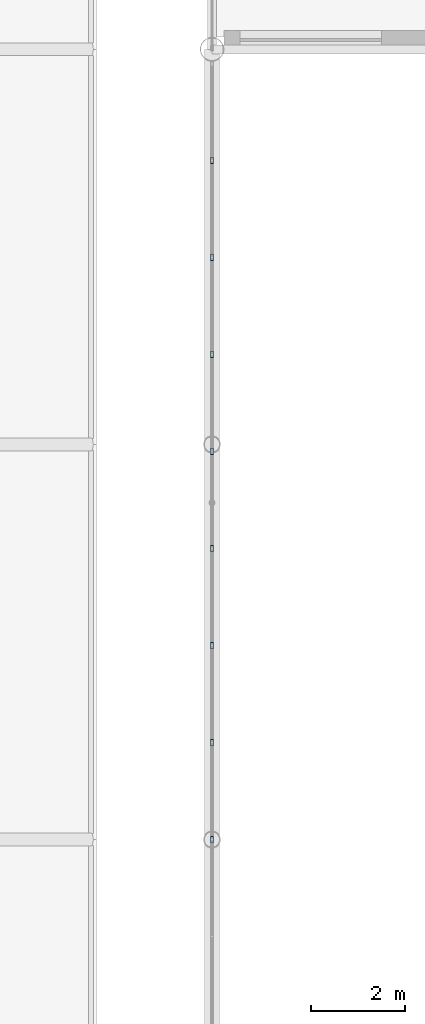
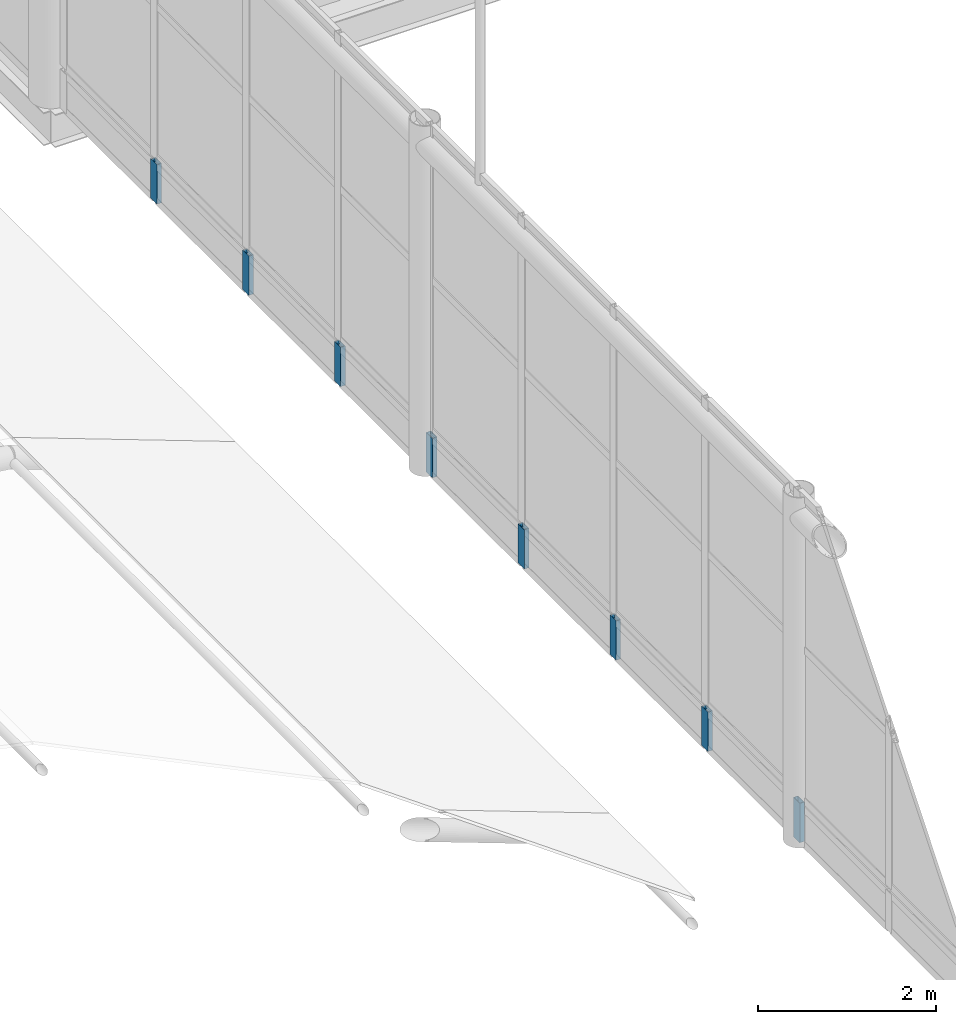
# One storey, part 136 of 167: 8 members, 1 element without a shape of its own.
"""IFC4 building model written with IfcOpenShell, lengths in metres."""

from ifc_helpers import new_model, si_unit, direction, frame, origin, origin_2d, place, context, subcontext, project, spatial, hollow_rectangle, extrude, material, material_profile, profile_set, type_object, element, aggregate, save


model = new_model("IFC4")

# Units and contexts
model_context = context("Model", 3, precision=1e-05, world=origin(), true_north=direction((0.0, 1.0)))
body_context = subcontext(model_context, "Body", "Model", "MODEL_VIEW")
ifc_project = project(units=[si_unit("LENGTHUNIT", "METRE"), si_unit("AREAUNIT", "SQUARE_METRE"), si_unit("VOLUMEUNIT", "CUBIC_METRE"), si_unit("PLANEANGLEUNIT", "RADIAN"), si_unit("MASSUNIT", "GRAM", prefix="KILO")], contexts=[model_context])

# Site, building, storey
site_placement = place(None, origin())
site = spatial("IfcSite", under=ifc_project, at=site_placement, CompositionType="ELEMENT")
building_placement = place(site_placement, origin())
building = spatial("IfcBuilding", under=site, at=building_placement, Name="Catenary Quay Ferry Terminal", CompositionType="ELEMENT")
storey_placement = place(building_placement, frame((0.0, 0.0, 6.0)))
storey = spatial("IfcBuildingStorey", under=building, at=storey_placement, Name="L01", CompositionType="ELEMENT", Elevation=6.0)

# Curtain wall, members
ifc_material_1 = material(Name="Aluminium and glass", Category="aluminium")
curtain_wall_type = type_object("IfcCurtainWallType", Name="CWQ", PredefinedType="NOTDEFINED", material=ifc_material_1)
curtain_wall_placement = place(storey_placement, origin())
curtain_wall = element("IfcCurtainWall", 1, at=curtain_wall_placement, inside=storey, type_object=curtain_wall_type, Name="Gable arrivals hall base curtain wall CW173", PredefinedType="NOTDEFINED")
ifc_material_2 = material(Name="Aluminium", Category="aluminium")
ifc_material_profile = material_profile(ifc_material_2, hollow_rectangle(XDim=0.06005859375, YDim=0.139892578125, WallThickness=0.006103515625, at=origin_2d()), Name="MU2")
ifc_profile_set = profile_set([ifc_material_profile], Name="Aluminium")
member_type = type_object("IfcMemberType", Name="MU2", PredefinedType="MULLION", material=ifc_profile_set)
member_1_placement = place(storey_placement, frame((25.199951171875, 84.0, 0.0), z_axis=(0.0, 0.0, 1.0), x_axis=(-1.0, 0.0, 0.0)))
member_1 = element("IfcMember", 2, at=member_1_placement, type_object=member_type, Name="CW173 mullion 9", PredefinedType="MULLION", context=body_context, shape_type="SweptSolid", body=[
    extrude(hollow_rectangle(XDim=0.06005859375, YDim=0.139892578125, WallThickness=0.006103515625, at=origin_2d()), origin(), (0.0, 0.0, 1.0), 0.5400390625),
])
member_2_placement = place(storey_placement, frame((25.199951171875, 86.0625, 0.0), z_axis=(0.0, 0.0, 1.0), x_axis=(-1.0, 0.0, 0.0)))
member_2 = element("IfcMember", 3, at=member_2_placement, type_object=member_type, Name="CW173 mullion 10", PredefinedType="MULLION", context=body_context, shape_type="SweptSolid", body=[
    extrude(hollow_rectangle(XDim=0.06005859375, YDim=0.139892578125, WallThickness=0.006103515625, at=origin_2d()), origin(), (0.0, 0.0, 1.0), 0.5400390625),
])
member_3_placement = place(storey_placement, frame((25.199951171875, 88.125, 0.0), z_axis=(0.0, 0.0, 1.0), x_axis=(-1.0, 0.0, 0.0)))
member_3 = element("IfcMember", 4, at=member_3_placement, type_object=member_type, Name="CW173 mullion 11", PredefinedType="MULLION", context=body_context, shape_type="SweptSolid", body=[
    extrude(hollow_rectangle(XDim=0.06005859375, YDim=0.139892578125, WallThickness=0.006103515625, at=origin_2d()), origin(), (0.0, 0.0, 1.0), 0.5400390625),
])
member_4_placement = place(storey_placement, frame((25.199951171875, 90.1875, 0.0), z_axis=(0.0, 0.0, 1.0), x_axis=(-1.0, 0.0, 0.0)))
member_4 = element("IfcMember", 5, at=member_4_placement, type_object=member_type, Name="CW173 mullion 12", PredefinedType="MULLION", context=body_context, shape_type="SweptSolid", body=[
    extrude(hollow_rectangle(XDim=0.06005859375, YDim=0.139892578125, WallThickness=0.006103515625, at=origin_2d()), origin(), (0.0, 0.0, 1.0), 0.5400390625),
])
member_5_placement = place(storey_placement, frame((25.199951171875, 92.25, 0.0), z_axis=(0.0, 0.0, 1.0), x_axis=(-1.0, 0.0, 0.0)))
member_5 = element("IfcMember", 6, at=member_5_placement, type_object=member_type, Name="CW173 mullion 13", PredefinedType="MULLION", context=body_context, shape_type="SweptSolid", body=[
    extrude(hollow_rectangle(XDim=0.06005859375, YDim=0.139892578125, WallThickness=0.006103515625, at=origin_2d()), origin(), (0.0, 0.0, 1.0), 0.5400390625),
])
member_6_placement = place(storey_placement, frame((25.199951171875, 94.3125, 0.0), z_axis=(0.0, 0.0, 1.0), x_axis=(-1.0, 0.0, 0.0)))
member_6 = element("IfcMember", 7, at=member_6_placement, type_object=member_type, Name="CW173 mullion 14", PredefinedType="MULLION", context=body_context, shape_type="SweptSolid", body=[
    extrude(hollow_rectangle(XDim=0.06005859375, YDim=0.139892578125, WallThickness=0.006103515625, at=origin_2d()), origin(), (0.0, 0.0, 1.0), 0.5400390625),
])
member_7_placement = place(storey_placement, frame((25.199951171875, 96.375, 0.0), z_axis=(0.0, 0.0, 1.0), x_axis=(-1.0, 0.0, 0.0)))
member_7 = element("IfcMember", 8, at=member_7_placement, type_object=member_type, Name="CW173 mullion 15", PredefinedType="MULLION", context=body_context, shape_type="SweptSolid", body=[
    extrude(hollow_rectangle(XDim=0.06005859375, YDim=0.139892578125, WallThickness=0.006103515625, at=origin_2d()), origin(), (0.0, 0.0, 1.0), 0.5400390625),
])
member_8_placement = place(storey_placement, frame((25.199951171875, 98.4375, 0.0), z_axis=(0.0, 0.0, 1.0), x_axis=(-1.0, 0.0, 0.0)))
member_8 = element("IfcMember", 9, at=member_8_placement, type_object=member_type, Name="CW173 mullion 16", PredefinedType="MULLION", context=body_context, shape_type="SweptSolid", body=[
    extrude(hollow_rectangle(XDim=0.06005859375, YDim=0.139892578125, WallThickness=0.006103515625, at=origin_2d()), origin(), (0.0, 0.0, 1.0), 0.5400390625),
])
aggregate(curtain_wall, [member_1, member_2, member_3, member_4, member_5, member_6, member_7, member_8])

save(model, "model.ifc")
